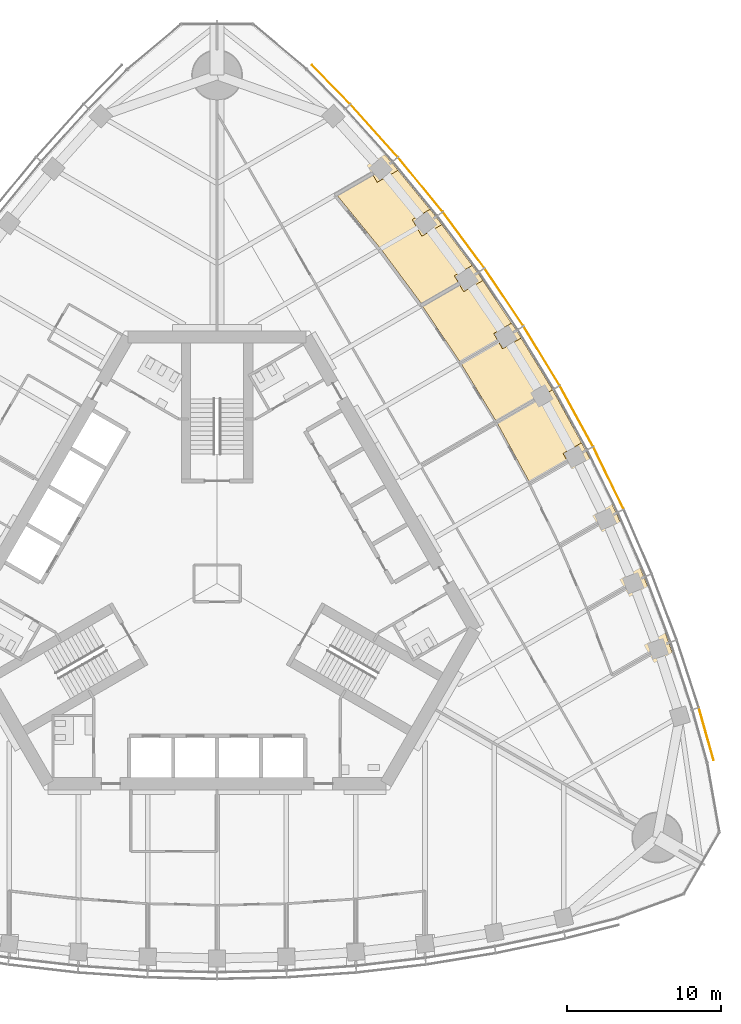
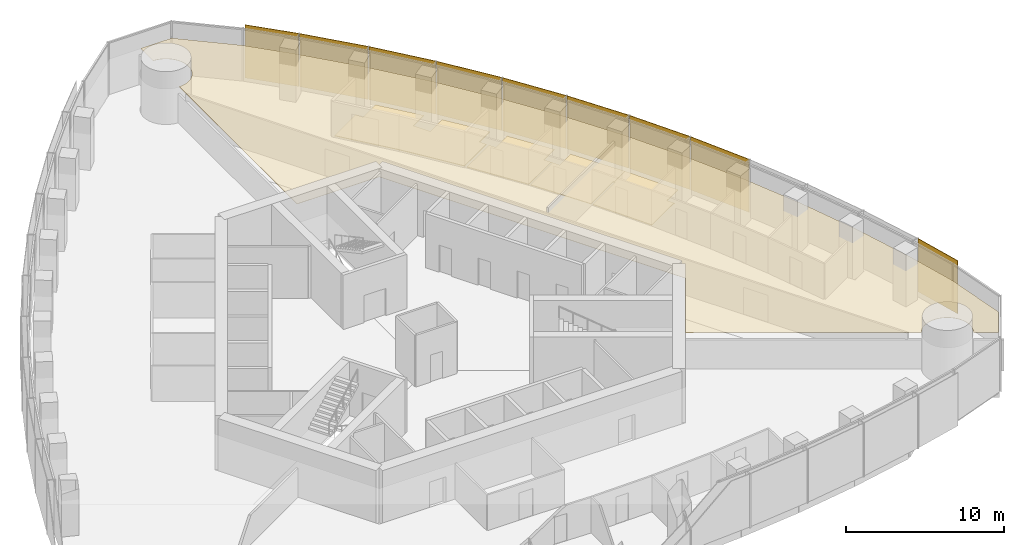
# One storey, part 18 of 20: 9 shading devices, 5 coverings.
"""IFC4 building model written with IfcOpenShell, lengths in metres."""

from ifc_helpers import new_model, si_unit, direction, frame, origin, origin_2d, place, context, subcontext, project, spatial, polyline, rectangle, outline, extrude, material, layer, layer_set, type_object, element, save


model = new_model("IFC4")

# Units and contexts
model_context = context("Model", 3, precision=1e-05, world=origin(), true_north=direction((0.0, 1.0)))
body_context = subcontext(model_context, "Body", "Model", "MODEL_VIEW")
ifc_project = project(units=[si_unit("LENGTHUNIT", "METRE"), si_unit("AREAUNIT", "SQUARE_METRE"), si_unit("VOLUMEUNIT", "CUBIC_METRE"), si_unit("PLANEANGLEUNIT", "RADIAN"), si_unit("MASSUNIT", "GRAM", prefix="KILO")], contexts=[model_context])

# Site, building, storey
site_placement = place(None, origin())
site = spatial("IfcSite", under=ifc_project, at=site_placement, CompositionType="ELEMENT")
building_placement = place(site_placement, origin())
building = spatial("IfcBuilding", under=site, at=building_placement, Name="Trefoil Bronze Tower", CompositionType="ELEMENT")
storey_placement = place(building_placement, frame((0.0, 0.0, 210.699951171875)))
storey = spatial("IfcBuildingStorey", under=building, at=storey_placement, Name="L48", CompositionType="ELEMENT", Elevation=210.699951171875)

# Shading devices
ifc_material_1 = material(Name="Perforated bronze sheet", Category="bronze")
ifc_layer_1 = layer(ifc_material_1, 0.0400390625)
ifc_layer_set_1 = layer_set([ifc_layer_1], Name="Bronze solar screen panel")
shading_device_type = type_object("IfcShadingDeviceType", Name="Bronze solar screen panel", PredefinedType="SHUTTER", material=ifc_layer_set_1)
shading_device_1_placement = place(storey_placement, frame((31.764892578125, -9.7890625, 0.050048828125), z_axis=(0.0, 0.0, 1.0), x_axis=(-0.270282222968, 0.962781138134, 0.0)))
element("IfcShadingDevice", 1, at=shading_device_1_placement, inside=storey, type_object=shading_device_type, Name="Solar screen CW-A L48 F2 bay 1", PredefinedType="SHUTTER", context=body_context, shape_type="SweptSolid", body=[
    extrude(rectangle(XDim=3.53369140625, YDim=0.0400390625, at=origin_2d()), origin(), (0.0, 0.0, 1.0), 4.10009765625),
])
shading_device_2_placement = place(storey_placement, frame((25.4169921875, 6.83740234375, 0.050048828125), z_axis=(0.0, 0.0, 1.0), x_axis=(-0.439129033334, 0.898424004623, 0.0)))
element("IfcShadingDevice", 2, at=shading_device_2_placement, inside=storey, type_object=shading_device_type, Name="Solar screen CW-A L48 F2 bay 5", PredefinedType="SHUTTER", context=body_context, shape_type="SweptSolid", body=[
    extrude(rectangle(XDim=4.480712890625, YDim=0.0400390625, at=origin_2d()), origin(), (0.0, 0.0, 1.0), 4.10009765625),
])
for number, where, z_axis, x_axis, name in (
    (3, (23.3349609375, 10.860107421875, 0.050048828125), (0.0, 0.0, 1.0), (-0.479974003504, 0.877282711536, 0.0), "Solar screen CW-A L48 F2 bay 6"),
    (4, (21.07275390625, 14.77880859375, 0.050048828125), (0.0, 0.0, 1.0), (-0.519762112739, 0.854311035959, 0.0), "Solar screen CW-A L48 F2 bay 7"),
):
    element("IfcShadingDevice", number, at=place(storey_placement, frame(where, z_axis=z_axis, x_axis=x_axis)), inside=storey, type_object=shading_device_type, Name=name, PredefinedType="SHUTTER", context=body_context, shape_type="SweptSolid", body=[
        extrude(rectangle(XDim=4.47119140625, YDim=0.0400390625, at=origin_2d()), origin(), (0.0, 0.0, 1.0), 4.10009765625),
    ])
shading_device_3_placement = place(storey_placement, frame((18.6298828125, 18.59326171875, 0.050048828125), z_axis=(0.0, 0.0, 1.0), x_axis=(-0.558493494706, 0.829508900718, 0.0)))
element("IfcShadingDevice", 5, at=shading_device_3_placement, inside=storey, type_object=shading_device_type, Name="Solar screen CW-A L48 F2 bay 8", PredefinedType="SHUTTER", context=body_context, shape_type="SweptSolid", body=[
    extrude(rectangle(XDim=4.480712890625, YDim=0.0400390625, at=origin_2d()), origin(), (0.0, 0.0, 1.0), 4.10009765625),
])
shading_device_4_placement = place(storey_placement, frame((16.005615234375, 22.302734375, 0.050048828125), z_axis=(0.0, 0.0, 1.0), x_axis=(-0.596161525977, 0.802864518425, 0.0)))
element("IfcShadingDevice", 6, at=shading_device_4_placement, inside=storey, type_object=shading_device_type, Name="Solar screen CW-A L48 F2 bay 9", PredefinedType="SHUTTER", context=body_context, shape_type="SweptSolid", body=[
    extrude(rectangle(XDim=4.5, YDim=0.0400390625, at=origin_2d()), origin(), (0.0, 0.0, 1.0), 4.10009765625),
])
shading_device_5_placement = place(storey_placement, frame((13.197509765625, 25.90625, 0.050048828125), z_axis=(0.0, 0.0, 1.0), x_axis=(-0.63275261301, 0.774354008661, 0.0)))
element("IfcShadingDevice", 7, at=shading_device_5_placement, inside=storey, type_object=shading_device_type, Name="Solar screen CW-A L48 F2 bay 10", PredefinedType="SHUTTER", context=body_context, shape_type="SweptSolid", body=[
    extrude(rectangle(XDim=4.529296875, YDim=0.0400390625, at=origin_2d()), origin(), (0.0, 0.0, 1.0), 4.10009765625),
])
shading_device_6_placement = place(storey_placement, frame((10.20166015625, 29.401611328125, 0.050048828125), z_axis=(0.0, 0.0, 1.0), x_axis=(-0.668245744076, 0.743940606181, 0.0)))
element("IfcShadingDevice", 8, at=shading_device_6_placement, inside=storey, type_object=shading_device_type, Name="Solar screen CW-A L48 F2 bay 11", PredefinedType="SHUTTER", context=body_context, shape_type="SweptSolid", body=[
    extrude(rectangle(XDim=4.5693359375, YDim=0.0400390625, at=origin_2d()), origin(), (0.0, 0.0, 1.0), 4.10009765625),
])
shading_device_7_placement = place(storey_placement, frame((7.40478515625, 32.40380859375, 0.050048828125), z_axis=(0.0, 0.0, 1.0), x_axis=(-0.698651812425, 0.715461840349, 0.0)))
element("IfcShadingDevice", 9, at=shading_device_7_placement, inside=storey, type_object=shading_device_type, Name="Solar screen CW-A L48 F2 bay 12", PredefinedType="SHUTTER", context=body_context, shape_type="SweptSolid", body=[
    extrude(rectangle(XDim=3.53369140625, YDim=0.0400390625, at=origin_2d()), origin(), (0.0, 0.0, 1.0), 4.10009765625),
])

# Coverings
ifc_material_2 = material(Name="Acoustic ceiling panels", Category="mineral fibre")
ifc_layer_2 = layer(ifc_material_2, 0.02001953125)
ifc_layer_set_2 = layer_set([ifc_layer_2], Name="Office ceiling 20")
covering_type_1 = type_object("IfcCoveringType", Name="Office ceiling 20", PredefinedType="CEILING", material=ifc_layer_set_2)
covering_1_placement = place(storey_placement, frame((0.0, 0.0, 2.900146484375)))
element("IfcCovering", 10, at=covering_1_placement, inside=storey, type_object=covering_type_1, Name="Ceiling L48 Open-plan office F2", PredefinedType="CEILING", context=body_context, shape_type="SweptSolid", body=[
    extrude(outline(polyline([(8.26318359375, 30.751708984375), (11.3369140625, 27.329833984375), (14.2216796875, 23.79931640625), (16.92236328125, 20.162353515625), (19.44140625, 16.420654296875), (21.781005859375, 12.5751953125), (23.94140625, 8.62646484375), (25.92236328125, 4.573974609375), (27.7216796875, 0.416748046875), (29.3369140625, -3.846923828125), (30.76318359375, -8.219482421875), (31.7265625, -11.650634765625), (32.518310546875, -16.1416015625), (31.385009765625, -18.1044921875), (30.013916015625, -17.3134765625), (30.033935546875, -17.27783203125), (30.0703125, -17.20556640625), (30.103271484375, -17.13134765625), (30.13232421875, -17.055908203125), (30.15771484375, -16.97900390625), (30.179443359375, -16.90087890625), (30.197021484375, -16.822021484375), (30.2109375, -16.7421875), (30.220947265625, -16.66162109375), (30.226806640625, -16.5810546875), (30.228759765625, -16.5), (30.226806640625, -16.4189453125), (30.220947265625, -16.33837890625), (30.2109375, -16.2578125), (30.197021484375, -16.177978515625), (30.179443359375, -16.09912109375), (30.15771484375, -16.02099609375), (30.13232421875, -15.944091796875), (30.103271484375, -15.86865234375), (30.0703125, -15.79443359375), (30.033935546875, -15.72216796875), (29.994140625, -15.651611328125), (29.95068359375, -15.583251953125), (29.904052734375, -15.51708984375), (29.854248046875, -15.453369140625), (29.801513671875, -15.391845703125), (29.74560546875, -15.333251953125), (29.68701171875, -15.27734375), (29.62548828125, -15.224609375), (29.561767578125, -15.1748046875), (29.49560546875, -15.128173828125), (29.427001953125, -15.084716796875), (29.356689453125, -15.044921875), (29.2841796875, -15.00830078125), (29.210205078125, -14.9755859375), (29.134765625, -14.946533203125), (29.057861328125, -14.9208984375), (28.979736328125, -14.8994140625), (28.900634765625, -14.881591796875), (28.82080078125, -14.867919921875), (28.740478515625, -14.85791015625), (28.659912109375, -14.85205078125), (28.578857421875, -14.85009765625), (28.497802734375, -14.85205078125), (28.4169921875, -14.85791015625), (28.336669921875, -14.867919921875), (28.2568359375, -14.881591796875), (28.177978515625, -14.8994140625), (28.099853515625, -14.9208984375), (28.02294921875, -14.946533203125), (27.947509765625, -14.9755859375), (27.873291015625, -15.00830078125), (27.801025390625, -15.044921875), (27.730712890625, -15.084716796875), (27.662109375, -15.128173828125), (27.595947265625, -15.1748046875), (27.531982421875, -15.224609375), (27.470703125, -15.27734375), (27.412109375, -15.333251953125), (27.356201171875, -15.391845703125), (27.303466796875, -15.453369140625), (27.25341796875, -15.51708984375), (27.206787109375, -15.583251953125), (27.156005859375, -15.6650390625), (14.205810546875, -8.194580078125), (17.205078125, -3.0), (6.00439453125, 16.39990234375), (0.006103515625, 16.39990234375), (0.01171875, 31.350341796875), (0.0810546875, 31.35205078125), (0.16162109375, 31.35791015625), (0.2421875, 31.367919921875), (0.322021484375, 31.381591796875), (0.40087890625, 31.3994140625), (0.47900390625, 31.4208984375), (0.555908203125, 31.446533203125), (0.63134765625, 31.4755859375), (0.70556640625, 31.50830078125), (0.77783203125, 31.544921875), (0.848388671875, 31.584716796875), (0.916748046875, 31.628173828125), (0.98291015625, 31.6748046875), (1.046630859375, 31.724609375), (1.108154296875, 31.77734375), (1.166748046875, 31.833251953125), (1.22265625, 31.891845703125), (1.275390625, 31.953369140625), (1.3251953125, 32.01708984375), (1.371826171875, 32.083251953125), (1.415283203125, 32.151611328125), (1.455078125, 32.22216796875), (1.49169921875, 32.29443359375), (1.5244140625, 32.36865234375), (1.553466796875, 32.444091796875), (1.5791015625, 32.52099609375), (1.6005859375, 32.59912109375), (1.618408203125, 32.677978515625), (1.632080078125, 32.7578125), (1.64208984375, 32.83837890625), (1.64794921875, 32.9189453125), (1.64990234375, 33.0), (1.64794921875, 33.0810546875), (1.64208984375, 33.16162109375), (1.632080078125, 33.2421875), (1.618408203125, 33.322021484375), (1.6005859375, 33.40087890625), (1.5791015625, 33.47900390625), (1.553466796875, 33.555908203125), (1.5244140625, 33.63134765625), (1.49169921875, 33.70556640625), (1.455078125, 33.77783203125), (1.415283203125, 33.848388671875), (1.371826171875, 33.916748046875), (1.3251953125, 33.98291015625), (1.275390625, 34.046630859375), (1.22265625, 34.108154296875), (1.166748046875, 34.166748046875), (1.108154296875, 34.22265625), (1.046630859375, 34.275390625), (0.98291015625, 34.3251953125), (0.916748046875, 34.371826171875), (0.848388671875, 34.415283203125), (0.77783203125, 34.455078125), (0.70556640625, 34.49169921875), (0.63134765625, 34.5244140625), (0.555908203125, 34.553466796875), (0.47900390625, 34.5791015625), (0.40087890625, 34.6005859375), (0.322021484375, 34.618408203125), (0.2421875, 34.632080078125), (0.16162109375, 34.64208984375), (0.0810546875, 34.64794921875), (0.012939453125, 34.649658203125), (0.013671875, 36.232666015625), (2.280029296875, 36.232666015625), (5.7734375, 33.30126953125), (8.26318359375, 30.751708984375)])), origin(), (0.0, 0.0, 1.0), 0.02001953125),
])
ifc_material_3 = material(Name="Raised access floor panels", Category="steel")
ifc_layer_3 = layer(ifc_material_3, 0.050048828125)
ifc_layer_set_3 = layer_set([ifc_layer_3], Name="Raised access floor 150")
covering_type_2 = type_object("IfcCoveringType", Name="Raised access floor 150", PredefinedType="FLOORING", material=ifc_layer_set_3)
covering_2_placement = place(storey_placement, frame((0.0, 0.0, 0.10009765625)))
element("IfcCovering", 11, at=covering_2_placement, inside=storey, type_object=covering_type_2, Name="Raised floor L48 Boardroom F2", PredefinedType="FLOORING", context=body_context, shape_type="SweptSolid", body=[
    extrude(outline(polyline([(16.562744140625, 20.646728515625), (15.407958984375, 19.97998046875), (15.657470703125, 19.547607421875), (13.268798828125, 18.168701171875), (10.621337890625, 21.73388671875), (10.541015625, 21.67431640625), (10.61865234375, 21.73779296875), (7.80810546875, 25.177001953125), (10.125244140625, 26.514892578125), (10.396728515625, 26.044921875), (11.7490234375, 26.825439453125), (13.8232421875, 24.287109375), (12.673095703125, 23.623046875), (13.294677734375, 22.54638671875), (14.5947265625, 23.296875), (16.562744140625, 20.646728515625)])), origin(), (0.0, 0.0, 1.0), 0.050048828125),
])
covering_3_placement = place(storey_placement, frame((0.0, 0.0, 0.10009765625)))
element("IfcCovering", 12, at=covering_3_placement, inside=storey, type_object=covering_type_2, Name="Raised floor L48 Office F2", PredefinedType="FLOORING", context=body_context, shape_type="SweptSolid", body=[
    extrude(outline(polyline([(19.119140625, 16.8994140625), (17.96142578125, 16.23095703125), (18.24951171875, 15.732421875), (18.2451171875, 15.72998046875), (18.215087890625, 15.781982421875), (15.779296875, 14.375732421875), (13.349853515625, 17.984375), (15.757568359375, 19.37451171875), (16.007080078125, 18.94189453125), (17.2578125, 19.6640625), (19.119140625, 16.8994140625)])), origin(), (0.0, 0.0, 1.0), 0.050048828125),
])
covering_4_placement = place(storey_placement, frame((0.0, 0.0, 0.10009765625)))
element("IfcCovering", 13, at=covering_4_placement, inside=storey, type_object=covering_type_2, Name="Raised floor L48 Office F2", PredefinedType="FLOORING", context=body_context, shape_type="SweptSolid", body=[
    extrude(outline(polyline([(20.5859375, 11.88525390625), (20.548583984375, 11.9501953125), (18.113525390625, 10.54443359375), (15.843994140625, 14.2744140625), (18.275146484375, 15.677978515625), (18.2451171875, 15.72998046875), (18.24951171875, 15.732421875), (18.537353515625, 15.23388671875), (19.740966796875, 15.9287109375), (21.781005859375, 12.5751953125), (20.5859375, 11.88525390625)])), origin(), (0.0, 0.0, 1.0), 0.050048828125),
])
covering_5_placement = place(storey_placement, frame((0.0, 0.0, 0.10009765625)))
element("IfcCovering", 14, at=covering_5_placement, inside=storey, type_object=covering_type_2, Name="Raised floor L48 Office F2", PredefinedType="FLOORING", context=body_context, shape_type="SweptSolid", body=[
    extrude(outline(polyline([(22.7451171875, 7.935791015625), (22.715087890625, 7.98779296875), (20.2841796875, 6.584228515625), (18.1884765625, 10.41455078125), (20.62353515625, 11.8203125), (20.5859375, 11.88525390625), (21.781005859375, 12.5751953125), (23.6650390625, 9.131591796875), (22.46142578125, 8.436767578125), (22.74951171875, 7.938232421875), (22.7451171875, 7.935791015625)])), origin(), (0.0, 0.0, 1.0), 0.050048828125),
])

save(model, "model.ifc")
